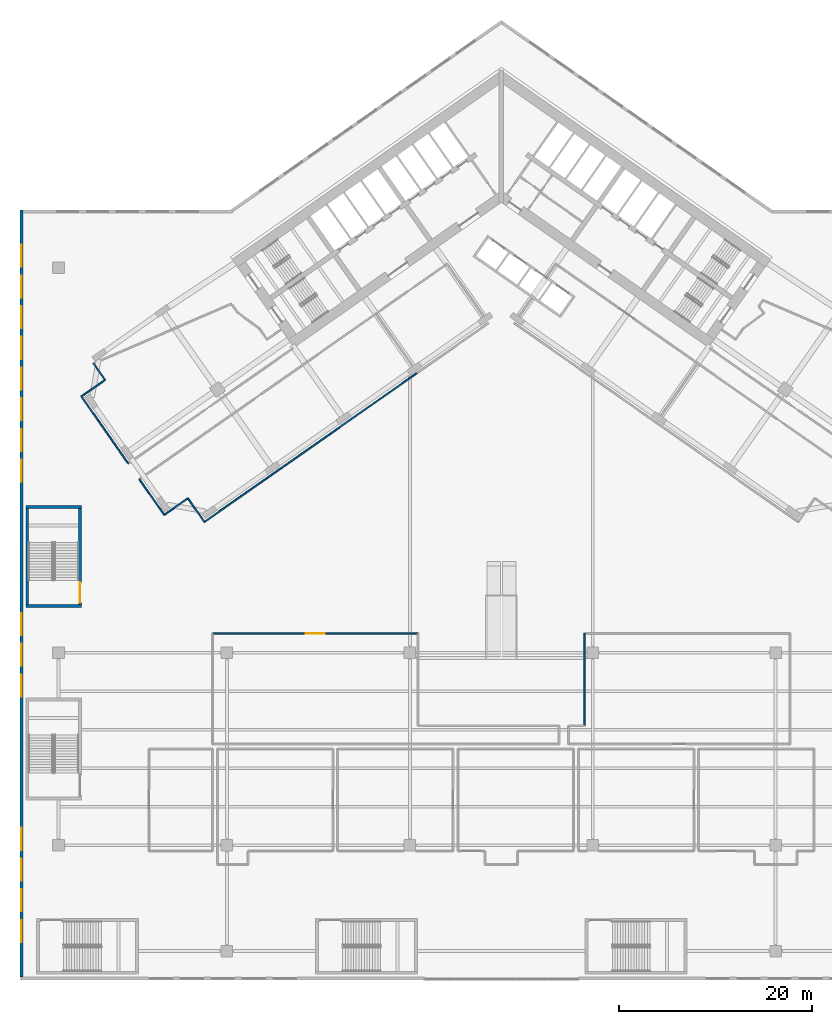
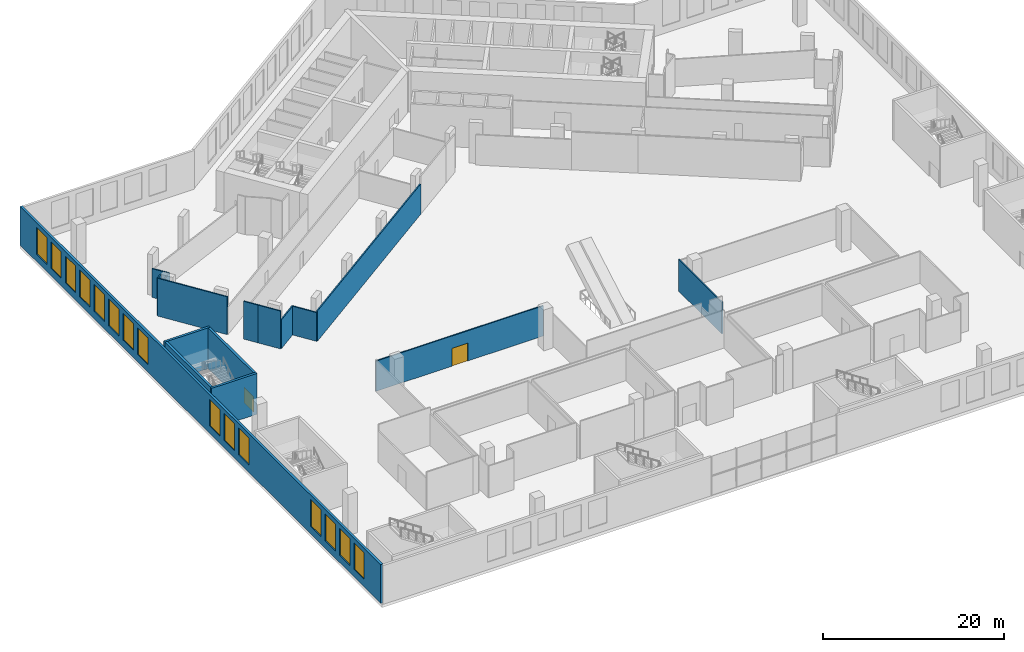
# One storey, part 6 of 26: 16 walls, 15 windows, 2 doors, 17 openings.
"""IFC4 building model written with IfcOpenShell, lengths in metres."""

from ifc_helpers import new_model, si_unit, direction, frame, frame_2d, origin, place, context, subcontext, project, spatial, rectangle, extrude, material, layer, layer_set, type_object, element, fill, save


model = new_model("IFC4")

# Units and contexts
model_context = context("Model", 3, precision=1e-05, world=origin(), true_north=direction((0.0, 1.0)))
body_context = subcontext(model_context, "Body", "Model", "MODEL_VIEW")
ifc_project = project(units=[si_unit("LENGTHUNIT", "METRE"), si_unit("AREAUNIT", "SQUARE_METRE"), si_unit("VOLUMEUNIT", "CUBIC_METRE"), si_unit("PLANEANGLEUNIT", "RADIAN"), si_unit("MASSUNIT", "GRAM", prefix="KILO")], contexts=[model_context])

# Site, building, storey
site_placement = place(None, origin())
site = spatial("IfcSite", under=ifc_project, at=site_placement, CompositionType="ELEMENT")
building_placement = place(site_placement, origin())
building = spatial("IfcBuilding", under=site, at=building_placement, Name="Tel Ilan Convention Tower", CompositionType="ELEMENT")
storey_placement = place(building_placement, frame((0.0, 0.0, 32.0)))
storey = spatial("IfcBuildingStorey", under=building, at=storey_placement, Name="L04", CompositionType="ELEMENT", Elevation=32.0)

# Wall, opening, door
ifc_material_1 = material(Name="Plasterboard on Steel Studs", Category="steel")
ifc_layer_1 = layer(ifc_material_1, 0.14990234375)
ifc_layer_set_1 = layer_set([ifc_layer_1], Name="Fire-rated Partition 150 EI 60")
wall_type_1 = type_object("IfcWallType", Name="Fire-rated Partition 150 EI 60", PredefinedType="PARTITIONING", material=ifc_layer_set_1)
wall_1_placement = place(storey_placement, frame((-8.65087890625, -45.9990234375, 0.0), z_axis=(0.0, 0.0, 1.0), x_axis=(-1.0, 0.0, 0.0)))
wall_1 = element("IfcWall", 1, at=wall_1_placement, inside=storey, type_object=wall_type_1, Name="Partition 046", PredefinedType="PARTITIONING", context=body_context, shape_type="SweptSolid", body=[
    extrude(rectangle(XDim=21.34912109375, YDim=0.14990234375, at=frame_2d((10.674560546875, 0.0))), origin(), (0.0, 0.0, 1.0), 4.080078125),
])
opening_1_placement = place(wall_1_placement, frame((9.674560546875, 0.0, 0.0)))
opening_1 = element("IfcOpeningElement", 2, at=opening_1_placement, cuts=wall_1, Name="Opening L04-013", PredefinedType="OPENING", context=body_context, shape_type="SweptSolid", body=[
    extrude(rectangle(XDim=2.0, YDim=2.39990234375, at=frame_2d((1.0, 1.199951171875))), frame((0.0, 0.0849609375, 0.0), z_axis=(0.0, -1.0, 0.0), x_axis=(1.0, 0.0, 0.0)), (0.0, 0.0, 1.0), 0.169921875),
])
ifc_material_2 = material(Name="Timber Door Leaf in Steel Frame", Category="steel")
door_type_1 = type_object("IfcDoorType", Name="Assembly Hall Double Fire Door 2000x2400", OperationType="NOTDEFINED", PredefinedType="DOOR", material=ifc_material_2)
door_1_placement = place(opening_1_placement, origin())
door_1 = element("IfcDoor", 3, at=door_1_placement, inside=storey, type_object=door_type_1, Name="Door L04-013", OperationType="DOUBLE_DOOR_SINGLE_SWING", OverallHeight=2.39990234375, OverallWidth=2.0, PredefinedType="DOOR", context=body_context, shape_type="SweptSolid", body=[
    extrude(rectangle(XDim=2.0, YDim=2.39990234375, at=frame_2d((1.0, 1.199951171875))), frame((0.0, 0.02490234375, 0.0), z_axis=(0.0, -1.0, 0.0), x_axis=(1.0, 0.0, 0.0)), (0.0, 0.0, 1.0), 0.050048828125),
])
fill(opening_1, door_1)

# Walls
wall_2_placement = place(storey_placement, frame((-35.016845703125, -33.676025390625, 0.0), z_axis=(0.0, 0.0, 1.0), x_axis=(0.81917072002, 0.573549763719, 0.0)))
element("IfcWall", 4, at=wall_2_placement, inside=storey, type_object=wall_type_1, Name="Partition 055", PredefinedType="PARTITIONING", context=body_context, shape_type="SweptSolid", body=[
    extrude(rectangle(XDim=2.998779296875, YDim=0.14990234375, at=frame_2d((1.49951171875, 0.0))), origin(), (0.0, 0.0, 1.0), 3.8798828125),
])
wall_3_placement = place(storey_placement, frame((-32.560302734375, -31.9560546875, 0.0), z_axis=(0.0, 0.0, 1.0), x_axis=(0.573604390867, -0.819132469615, 0.0)))
element("IfcWall", 5, at=wall_3_placement, inside=storey, type_object=wall_type_1, Name="Partition 056", PredefinedType="PARTITIONING", context=body_context, shape_type="SweptSolid", body=[
    extrude(rectangle(XDim=2.9990234375, YDim=0.14990234375, at=frame_2d((1.49951171875, 0.0))), origin(), (0.0, 0.0, 1.0), 3.8798828125),
])
wall_4_placement = place(storey_placement, frame((-30.838623046875, -34.412841796875, 0.0), z_axis=(0.0, 0.0, 1.0), x_axis=(0.819150779762, 0.573578242279, 0.0)))
element("IfcWall", 6, at=wall_4_placement, inside=storey, type_object=wall_type_1, Name="Partition 057", PredefinedType="PARTITIONING", context=body_context, shape_type="SweptSolid", body=[
    extrude(rectangle(XDim=27.001708984375, YDim=0.14990234375, at=frame_2d((13.5009765625, 0.0))), origin(), (0.0, 0.0, 1.0), 4.080078125),
])
wall_5_placement = place(storey_placement, frame((-36.59912109375, -31.41845703125, 0.0), z_axis=(0.0, 0.0, 1.0), x_axis=(0.57362881286, -0.819115367367, 0.0)))
element("IfcWall", 7, at=wall_5_placement, inside=storey, type_object=wall_type_1, Name="Partition 058", PredefinedType="PARTITIONING", context=body_context, shape_type="SweptSolid", body=[
    extrude(rectangle(XDim=2.755859375, YDim=0.14990234375, at=frame_2d((1.3779296875, 0.0))), origin(), (0.0, 0.0, 1.0), 5.10009765625),
])
wall_6_placement = place(storey_placement, frame((-42.359375, -17.96142578125, 0.0), z_axis=(0.0, 0.0, 1.0), x_axis=(0.573603984281, -0.819132754331, 0.0)))
element("IfcWall", 8, at=wall_6_placement, inside=storey, type_object=wall_type_1, Name="Partition 061", PredefinedType="PARTITIONING", context=body_context, shape_type="SweptSolid", body=[
    extrude(rectangle(XDim=2.082275390625, YDim=0.14990234375, at=frame_2d((1.041015625, 0.0))), origin(), (0.0, 0.0, 1.0), 3.8798828125),
])
wall_7_placement = place(storey_placement, frame((-41.1650390625, -19.6669921875, 0.0), z_axis=(0.0, 0.0, 1.0), x_axis=(-0.819149945048, -0.573579434366, 0.0)))
element("IfcWall", 9, at=wall_7_placement, inside=storey, type_object=wall_type_1, Name="Partition 062", PredefinedType="PARTITIONING", context=body_context, shape_type="SweptSolid", body=[
    extrude(rectangle(XDim=2.23876953125, YDim=0.14990234375, at=frame_2d((1.119384765625, 0.0))), origin(), (0.0, 0.0, 1.0), 3.8798828125),
])
wall_8_placement = place(storey_placement, frame((-43.621826171875, -21.38720703125, 0.0), z_axis=(0.0, 0.0, 1.0), x_axis=(0.573487395822, -0.819214383928, 0.0)))
element("IfcWall", 10, at=wall_8_placement, inside=storey, type_object=wall_type_1, Name="Partition 079", PredefinedType="PARTITIONING", context=body_context, shape_type="SweptSolid", body=[
    extrude(rectangle(XDim=8.502685546875, YDim=0.14990234375, at=frame_2d((4.25146484375, 0.0))), origin(), (0.0, 0.0, 1.0), 5.10009765625),
])
wall_9_placement = place(storey_placement, frame((-43.0, -20.951904296875, 0.0), z_axis=(0.0, 0.0, 1.0), x_axis=(-0.819216809636, -0.573483930734, 0.0)))
element("IfcWall", 11, at=wall_9_placement, inside=storey, type_object=wall_type_1, Name="Partition 080", PredefinedType="PARTITIONING", context=body_context, shape_type="SweptSolid", body=[
    extrude(rectangle(XDim=0.759033203125, YDim=0.14990234375, at=frame_2d((0.37939453125, 0.0))), origin(), (0.0, 0.0, 1.0), 5.10009765625),
])
wall_10_placement = place(storey_placement, frame((-37.600341796875, -29.98828125, 0.0), z_axis=(0.0, 0.0, 1.0), x_axis=(0.573518712821, -0.819192459709, 0.0)))
element("IfcWall", 12, at=wall_10_placement, inside=storey, type_object=wall_type_1, Name="Partition 081", PredefinedType="PARTITIONING", context=body_context, shape_type="SweptSolid", body=[
    extrude(rectangle(XDim=1.744140625, YDim=0.14990234375, at=frame_2d((0.8720703125, 0.0))), origin(), (0.0, 0.0, 1.0), 5.10009765625),
])
wall_11_placement = place(storey_placement, frame((8.64990234375, -45.998291015625, 0.0), z_axis=(0.0, 0.0, 1.0), x_axis=(0.0, -1.0, 0.0)))
element("IfcWall", 13, at=wall_11_placement, inside=storey, type_object=wall_type_1, Name="Partition 086", PredefinedType="PARTITIONING", context=body_context, shape_type="SweptSolid", body=[
    extrude(rectangle(XDim=9.587646484375, YDim=0.14990234375, at=frame_2d((4.7939453125, 0.0))), origin(), (0.0, 0.0, 1.0), 4.280029296875),
])

# Wall, openings, windows
ifc_material_3 = material(Name="Bronze aluminium cladding panel on insulated steel frame", Category="steel")
ifc_layer_2 = layer(ifc_material_3, 0.300048828125)
ifc_layer_set_2 = layer_set([ifc_layer_2], Name="PODIUM CLADDING WALL 300")
wall_type_2 = type_object("IfcWallType", Name="PODIUM CLADDING WALL 300", PredefinedType="SOLIDWALL", material=ifc_layer_set_2)
wall_12_placement = place(storey_placement, frame((-49.85009765625, -81.699951171875, 0.0), z_axis=(0.0, 0.0, 1.0), x_axis=(0.0, 1.0, 0.0)))
wall_12 = element("IfcWall", 14, at=wall_12_placement, inside=storey, type_object=wall_type_2, Name="Podium cladding wall", PredefinedType="SOLIDWALL", context=body_context, shape_type="SweptSolid", body=[
    extrude(rectangle(XDim=79.699951171875, YDim=0.300048828125, at=frame_2d((39.85009765625, 0.0))), origin(), (0.0, 0.0, 1.0), 5.219970703125),
])
opening_2_placement = place(wall_12_placement, frame((3.637939453125, 0.0, 1.0)))
opening_2 = element("IfcOpeningElement", 15, at=opening_2_placement, cuts=wall_12, Name="Opening W-07.011", PredefinedType="OPENING", context=body_context, shape_type="SweptSolid", body=[
    extrude(rectangle(XDim=2.2880859375, YDim=3.6201171875, at=frame_2d((1.14404296875, 1.81005859375))), frame((0.0, 0.159912109375, 0.0), z_axis=(0.0, -1.0, 0.0), x_axis=(1.0, 0.0, 0.0)), (0.0, 0.0, 1.0), 0.320068359375),
])
opening_3_placement = place(wall_12_placement, frame((6.825927734375, 0.0, 1.0)))
opening_3 = element("IfcOpeningElement", 16, at=opening_3_placement, cuts=wall_12, Name="Opening W-07.012", PredefinedType="OPENING", context=body_context, shape_type="SweptSolid", body=[
    extrude(rectangle(XDim=2.2880859375, YDim=3.6201171875, at=frame_2d((1.14404296875, 1.81005859375))), frame((0.0, 0.159912109375, 0.0), z_axis=(0.0, -1.0, 0.0), x_axis=(1.0, 0.0, 0.0)), (0.0, 0.0, 1.0), 0.320068359375),
])
opening_4_placement = place(wall_12_placement, frame((10.013916015625, 0.0, 1.0)))
opening_4 = element("IfcOpeningElement", 17, at=opening_4_placement, cuts=wall_12, Name="Opening W-07.013", PredefinedType="OPENING", context=body_context, shape_type="SweptSolid", body=[
    extrude(rectangle(XDim=2.2880859375, YDim=3.6201171875, at=frame_2d((1.14404296875, 1.81005859375))), frame((0.0, 0.159912109375, 0.0), z_axis=(0.0, -1.0, 0.0), x_axis=(1.0, 0.0, 0.0)), (0.0, 0.0, 1.0), 0.320068359375),
])
opening_5_placement = place(wall_12_placement, frame((13.201904296875, 0.0, 1.0)))
opening_5 = element("IfcOpeningElement", 18, at=opening_5_placement, cuts=wall_12, Name="Opening W-07.014", PredefinedType="OPENING", context=body_context, shape_type="SweptSolid", body=[
    extrude(rectangle(XDim=2.2880859375, YDim=3.6201171875, at=frame_2d((1.14404296875, 1.81005859375))), frame((0.0, 0.159912109375, 0.0), z_axis=(0.0, -1.0, 0.0), x_axis=(1.0, 0.0, 0.0)), (0.0, 0.0, 1.0), 0.320068359375),
])
opening_6_placement = place(wall_12_placement, frame((29.14208984375, 0.0, 1.0)))
opening_6 = element("IfcOpeningElement", 19, at=opening_6_placement, cuts=wall_12, Name="Opening W-07.015", PredefinedType="OPENING", context=body_context, shape_type="SweptSolid", body=[
    extrude(rectangle(XDim=2.2880859375, YDim=3.6201171875, at=frame_2d((1.14404296875, 1.81005859375))), frame((0.0, 0.159912109375, 0.0), z_axis=(0.0, -1.0, 0.0), x_axis=(1.0, 0.0, 0.0)), (0.0, 0.0, 1.0), 0.320068359375),
])
opening_7_placement = place(wall_12_placement, frame((32.330078125, 0.0, 1.0)))
opening_7 = element("IfcOpeningElement", 20, at=opening_7_placement, cuts=wall_12, Name="Opening W-07.016", PredefinedType="OPENING", context=body_context, shape_type="SweptSolid", body=[
    extrude(rectangle(XDim=2.2880859375, YDim=3.6201171875, at=frame_2d((1.14404296875, 1.81005859375))), frame((0.0, 0.159912109375, 0.0), z_axis=(0.0, -1.0, 0.0), x_axis=(1.0, 0.0, 0.0)), (0.0, 0.0, 1.0), 0.320068359375),
])
opening_8_placement = place(wall_12_placement, frame((35.51806640625, 0.0, 1.0)))
opening_8 = element("IfcOpeningElement", 21, at=opening_8_placement, cuts=wall_12, Name="Opening W-07.017", PredefinedType="OPENING", context=body_context, shape_type="SweptSolid", body=[
    extrude(rectangle(XDim=2.2880859375, YDim=3.6201171875, at=frame_2d((1.14404296875, 1.81005859375))), frame((0.0, 0.159912109375, 0.0), z_axis=(0.0, -1.0, 0.0), x_axis=(1.0, 0.0, 0.0)), (0.0, 0.0, 1.0), 0.320068359375),
])
opening_9_placement = place(wall_12_placement, frame((51.4580078125, 0.0, 1.0)))
opening_9 = element("IfcOpeningElement", 22, at=opening_9_placement, cuts=wall_12, Name="Opening W-07.018", PredefinedType="OPENING", context=body_context, shape_type="SweptSolid", body=[
    extrude(rectangle(XDim=2.2880859375, YDim=3.6201171875, at=frame_2d((1.14404296875, 1.81005859375))), frame((0.0, 0.159912109375, 0.0), z_axis=(0.0, -1.0, 0.0), x_axis=(1.0, 0.0, 0.0)), (0.0, 0.0, 1.0), 0.320068359375),
])
opening_10_placement = place(wall_12_placement, frame((54.64599609375, 0.0, 1.0)))
opening_10 = element("IfcOpeningElement", 23, at=opening_10_placement, cuts=wall_12, Name="Opening W-07.019", PredefinedType="OPENING", context=body_context, shape_type="SweptSolid", body=[
    extrude(rectangle(XDim=2.2880859375, YDim=3.6201171875, at=frame_2d((1.14404296875, 1.81005859375))), frame((0.0, 0.159912109375, 0.0), z_axis=(0.0, -1.0, 0.0), x_axis=(1.0, 0.0, 0.0)), (0.0, 0.0, 1.0), 0.320068359375),
])
opening_11_placement = place(wall_12_placement, frame((57.833984375, 0.0, 1.0)))
opening_11 = element("IfcOpeningElement", 24, at=opening_11_placement, cuts=wall_12, Name="Opening W-07.020", PredefinedType="OPENING", context=body_context, shape_type="SweptSolid", body=[
    extrude(rectangle(XDim=2.2880859375, YDim=3.6201171875, at=frame_2d((1.14404296875, 1.81005859375))), frame((0.0, 0.159912109375, 0.0), z_axis=(0.0, -1.0, 0.0), x_axis=(1.0, 0.0, 0.0)), (0.0, 0.0, 1.0), 0.320068359375),
])
opening_12_placement = place(wall_12_placement, frame((61.02197265625, 0.0, 1.0)))
opening_12 = element("IfcOpeningElement", 25, at=opening_12_placement, cuts=wall_12, Name="Opening W-07.021", PredefinedType="OPENING", context=body_context, shape_type="SweptSolid", body=[
    extrude(rectangle(XDim=2.2880859375, YDim=3.6201171875, at=frame_2d((1.14404296875, 1.81005859375))), frame((0.0, 0.159912109375, 0.0), z_axis=(0.0, -1.0, 0.0), x_axis=(1.0, 0.0, 0.0)), (0.0, 0.0, 1.0), 0.320068359375),
])
opening_13_placement = place(wall_12_placement, frame((64.2099609375, 0.0, 1.0)))
opening_13 = element("IfcOpeningElement", 26, at=opening_13_placement, cuts=wall_12, Name="Opening W-07.022", PredefinedType="OPENING", context=body_context, shape_type="SweptSolid", body=[
    extrude(rectangle(XDim=2.2880859375, YDim=3.6201171875, at=frame_2d((1.14404296875, 1.81005859375))), frame((0.0, 0.159912109375, 0.0), z_axis=(0.0, -1.0, 0.0), x_axis=(1.0, 0.0, 0.0)), (0.0, 0.0, 1.0), 0.320068359375),
])
opening_14_placement = place(wall_12_placement, frame((67.39794921875, 0.0, 1.0)))
opening_14 = element("IfcOpeningElement", 27, at=opening_14_placement, cuts=wall_12, Name="Opening W-07.023", PredefinedType="OPENING", context=body_context, shape_type="SweptSolid", body=[
    extrude(rectangle(XDim=2.2880859375, YDim=3.6201171875, at=frame_2d((1.14404296875, 1.81005859375))), frame((0.0, 0.159912109375, 0.0), z_axis=(0.0, -1.0, 0.0), x_axis=(1.0, 0.0, 0.0)), (0.0, 0.0, 1.0), 0.320068359375),
])
opening_15_placement = place(wall_12_placement, frame((70.5859375, 0.0, 1.0)))
opening_15 = element("IfcOpeningElement", 28, at=opening_15_placement, cuts=wall_12, Name="Opening W-07.024", PredefinedType="OPENING", context=body_context, shape_type="SweptSolid", body=[
    extrude(rectangle(XDim=2.2880859375, YDim=3.6201171875, at=frame_2d((1.14404296875, 1.81005859375))), frame((0.0, 0.159912109375, 0.0), z_axis=(0.0, -1.0, 0.0), x_axis=(1.0, 0.0, 0.0)), (0.0, 0.0, 1.0), 0.320068359375),
])
opening_16_placement = place(wall_12_placement, frame((73.77392578125, 0.0, 1.0)))
opening_16 = element("IfcOpeningElement", 29, at=opening_16_placement, cuts=wall_12, Name="Opening W-07.025", PredefinedType="OPENING", context=body_context, shape_type="SweptSolid", body=[
    extrude(rectangle(XDim=2.2880859375, YDim=3.6201171875, at=frame_2d((1.14404296875, 1.81005859375))), frame((0.0, 0.159912109375, 0.0), z_axis=(0.0, -1.0, 0.0), x_axis=(1.0, 0.0, 0.0)), (0.0, 0.0, 1.0), 0.320068359375),
])
ifc_material_4 = material(Name="Aluminium framed glazing, bronze anodised, tinted glass", Category="aluminium")
window_type = type_object("IfcWindowType", Name="PODIUM WINDOW 2288x3620", PartitioningType="SINGLE_PANEL", PredefinedType="WINDOW", material=ifc_material_4)
window_1_placement = place(opening_2_placement, origin())
window_1 = element("IfcWindow", 30, at=window_1_placement, inside=storey, type_object=window_type, Name="Podium window", OverallHeight=3.6201171875, OverallWidth=2.2880859375, PartitioningType="SINGLE_PANEL", PredefinedType="WINDOW", context=body_context, shape_type="SweptSolid", body=[
    extrude(rectangle(XDim=2.2880859375, YDim=3.6201171875, at=frame_2d((1.14404296875, 1.81005859375))), frame((0.0, 0.030029296875, 0.0), z_axis=(0.0, -1.0, 0.0), x_axis=(1.0, 0.0, 0.0)), (0.0, 0.0, 1.0), 0.06005859375),
])
fill(opening_2, window_1)
window_2_placement = place(opening_3_placement, origin())
window_2 = element("IfcWindow", 31, at=window_2_placement, inside=storey, type_object=window_type, Name="Podium window", OverallHeight=3.6201171875, OverallWidth=2.2880859375, PartitioningType="SINGLE_PANEL", PredefinedType="WINDOW", context=body_context, shape_type="SweptSolid", body=[
    extrude(rectangle(XDim=2.2880859375, YDim=3.6201171875, at=frame_2d((1.14404296875, 1.81005859375))), frame((0.0, 0.030029296875, 0.0), z_axis=(0.0, -1.0, 0.0), x_axis=(1.0, 0.0, 0.0)), (0.0, 0.0, 1.0), 0.06005859375),
])
fill(opening_3, window_2)
window_3_placement = place(opening_4_placement, origin())
window_3 = element("IfcWindow", 32, at=window_3_placement, inside=storey, type_object=window_type, Name="Podium window", OverallHeight=3.6201171875, OverallWidth=2.2880859375, PartitioningType="SINGLE_PANEL", PredefinedType="WINDOW", context=body_context, shape_type="SweptSolid", body=[
    extrude(rectangle(XDim=2.2880859375, YDim=3.6201171875, at=frame_2d((1.14404296875, 1.81005859375))), frame((0.0, 0.030029296875, 0.0), z_axis=(0.0, -1.0, 0.0), x_axis=(1.0, 0.0, 0.0)), (0.0, 0.0, 1.0), 0.06005859375),
])
fill(opening_4, window_3)
window_4_placement = place(opening_5_placement, origin())
window_4 = element("IfcWindow", 33, at=window_4_placement, inside=storey, type_object=window_type, Name="Podium window", OverallHeight=3.6201171875, OverallWidth=2.2880859375, PartitioningType="SINGLE_PANEL", PredefinedType="WINDOW", context=body_context, shape_type="SweptSolid", body=[
    extrude(rectangle(XDim=2.2880859375, YDim=3.6201171875, at=frame_2d((1.14404296875, 1.81005859375))), frame((0.0, 0.030029296875, 0.0), z_axis=(0.0, -1.0, 0.0), x_axis=(1.0, 0.0, 0.0)), (0.0, 0.0, 1.0), 0.06005859375),
])
fill(opening_5, window_4)
window_5_placement = place(opening_6_placement, origin())
window_5 = element("IfcWindow", 34, at=window_5_placement, inside=storey, type_object=window_type, Name="Podium window", OverallHeight=3.6201171875, OverallWidth=2.2880859375, PartitioningType="SINGLE_PANEL", PredefinedType="WINDOW", context=body_context, shape_type="SweptSolid", body=[
    extrude(rectangle(XDim=2.2880859375, YDim=3.6201171875, at=frame_2d((1.14404296875, 1.81005859375))), frame((0.0, 0.030029296875, 0.0), z_axis=(0.0, -1.0, 0.0), x_axis=(1.0, 0.0, 0.0)), (0.0, 0.0, 1.0), 0.06005859375),
])
fill(opening_6, window_5)
window_6_placement = place(opening_7_placement, origin())
window_6 = element("IfcWindow", 35, at=window_6_placement, inside=storey, type_object=window_type, Name="Podium window", OverallHeight=3.6201171875, OverallWidth=2.2880859375, PartitioningType="SINGLE_PANEL", PredefinedType="WINDOW", context=body_context, shape_type="SweptSolid", body=[
    extrude(rectangle(XDim=2.2880859375, YDim=3.6201171875, at=frame_2d((1.14404296875, 1.81005859375))), frame((0.0, 0.030029296875, 0.0), z_axis=(0.0, -1.0, 0.0), x_axis=(1.0, 0.0, 0.0)), (0.0, 0.0, 1.0), 0.06005859375),
])
fill(opening_7, window_6)
window_7_placement = place(opening_8_placement, origin())
window_7 = element("IfcWindow", 36, at=window_7_placement, inside=storey, type_object=window_type, Name="Podium window", OverallHeight=3.6201171875, OverallWidth=2.2880859375, PartitioningType="SINGLE_PANEL", PredefinedType="WINDOW", context=body_context, shape_type="SweptSolid", body=[
    extrude(rectangle(XDim=2.2880859375, YDim=3.6201171875, at=frame_2d((1.14404296875, 1.81005859375))), frame((0.0, 0.030029296875, 0.0), z_axis=(0.0, -1.0, 0.0), x_axis=(1.0, 0.0, 0.0)), (0.0, 0.0, 1.0), 0.06005859375),
])
fill(opening_8, window_7)
window_8_placement = place(opening_9_placement, origin())
window_8 = element("IfcWindow", 37, at=window_8_placement, inside=storey, type_object=window_type, Name="Podium window", OverallHeight=3.6201171875, OverallWidth=2.2880859375, PartitioningType="SINGLE_PANEL", PredefinedType="WINDOW", context=body_context, shape_type="SweptSolid", body=[
    extrude(rectangle(XDim=2.2880859375, YDim=3.6201171875, at=frame_2d((1.14404296875, 1.81005859375))), frame((0.0, 0.030029296875, 0.0), z_axis=(0.0, -1.0, 0.0), x_axis=(1.0, 0.0, 0.0)), (0.0, 0.0, 1.0), 0.06005859375),
])
fill(opening_9, window_8)
window_9_placement = place(opening_10_placement, origin())
window_9 = element("IfcWindow", 38, at=window_9_placement, inside=storey, type_object=window_type, Name="Podium window", OverallHeight=3.6201171875, OverallWidth=2.2880859375, PartitioningType="SINGLE_PANEL", PredefinedType="WINDOW", context=body_context, shape_type="SweptSolid", body=[
    extrude(rectangle(XDim=2.2880859375, YDim=3.6201171875, at=frame_2d((1.14404296875, 1.81005859375))), frame((0.0, 0.030029296875, 0.0), z_axis=(0.0, -1.0, 0.0), x_axis=(1.0, 0.0, 0.0)), (0.0, 0.0, 1.0), 0.06005859375),
])
fill(opening_10, window_9)
window_10_placement = place(opening_11_placement, origin())
window_10 = element("IfcWindow", 39, at=window_10_placement, inside=storey, type_object=window_type, Name="Podium window", OverallHeight=3.6201171875, OverallWidth=2.2880859375, PartitioningType="SINGLE_PANEL", PredefinedType="WINDOW", context=body_context, shape_type="SweptSolid", body=[
    extrude(rectangle(XDim=2.2880859375, YDim=3.6201171875, at=frame_2d((1.14404296875, 1.81005859375))), frame((0.0, 0.030029296875, 0.0), z_axis=(0.0, -1.0, 0.0), x_axis=(1.0, 0.0, 0.0)), (0.0, 0.0, 1.0), 0.06005859375),
])
fill(opening_11, window_10)
window_11_placement = place(opening_12_placement, origin())
window_11 = element("IfcWindow", 40, at=window_11_placement, inside=storey, type_object=window_type, Name="Podium window", OverallHeight=3.6201171875, OverallWidth=2.2880859375, PartitioningType="SINGLE_PANEL", PredefinedType="WINDOW", context=body_context, shape_type="SweptSolid", body=[
    extrude(rectangle(XDim=2.2880859375, YDim=3.6201171875, at=frame_2d((1.14404296875, 1.81005859375))), frame((0.0, 0.030029296875, 0.0), z_axis=(0.0, -1.0, 0.0), x_axis=(1.0, 0.0, 0.0)), (0.0, 0.0, 1.0), 0.06005859375),
])
fill(opening_12, window_11)
window_12_placement = place(opening_13_placement, origin())
window_12 = element("IfcWindow", 41, at=window_12_placement, inside=storey, type_object=window_type, Name="Podium window", OverallHeight=3.6201171875, OverallWidth=2.2880859375, PartitioningType="SINGLE_PANEL", PredefinedType="WINDOW", context=body_context, shape_type="SweptSolid", body=[
    extrude(rectangle(XDim=2.2880859375, YDim=3.6201171875, at=frame_2d((1.14404296875, 1.81005859375))), frame((0.0, 0.030029296875, 0.0), z_axis=(0.0, -1.0, 0.0), x_axis=(1.0, 0.0, 0.0)), (0.0, 0.0, 1.0), 0.06005859375),
])
fill(opening_13, window_12)
window_13_placement = place(opening_14_placement, origin())
window_13 = element("IfcWindow", 42, at=window_13_placement, inside=storey, type_object=window_type, Name="Podium window", OverallHeight=3.6201171875, OverallWidth=2.2880859375, PartitioningType="SINGLE_PANEL", PredefinedType="WINDOW", context=body_context, shape_type="SweptSolid", body=[
    extrude(rectangle(XDim=2.2880859375, YDim=3.6201171875, at=frame_2d((1.14404296875, 1.81005859375))), frame((0.0, 0.030029296875, 0.0), z_axis=(0.0, -1.0, 0.0), x_axis=(1.0, 0.0, 0.0)), (0.0, 0.0, 1.0), 0.06005859375),
])
fill(opening_14, window_13)
window_14_placement = place(opening_15_placement, origin())
window_14 = element("IfcWindow", 43, at=window_14_placement, inside=storey, type_object=window_type, Name="Podium window", OverallHeight=3.6201171875, OverallWidth=2.2880859375, PartitioningType="SINGLE_PANEL", PredefinedType="WINDOW", context=body_context, shape_type="SweptSolid", body=[
    extrude(rectangle(XDim=2.2880859375, YDim=3.6201171875, at=frame_2d((1.14404296875, 1.81005859375))), frame((0.0, 0.030029296875, 0.0), z_axis=(0.0, -1.0, 0.0), x_axis=(1.0, 0.0, 0.0)), (0.0, 0.0, 1.0), 0.06005859375),
])
fill(opening_15, window_14)
window_15_placement = place(opening_16_placement, origin())
window_15 = element("IfcWindow", 44, at=window_15_placement, inside=storey, type_object=window_type, Name="Podium window", OverallHeight=3.6201171875, OverallWidth=2.2880859375, PartitioningType="SINGLE_PANEL", PredefinedType="WINDOW", context=body_context, shape_type="SweptSolid", body=[
    extrude(rectangle(XDim=2.2880859375, YDim=3.6201171875, at=frame_2d((1.14404296875, 1.81005859375))), frame((0.0, 0.030029296875, 0.0), z_axis=(0.0, -1.0, 0.0), x_axis=(1.0, 0.0, 0.0)), (0.0, 0.0, 1.0), 0.06005859375),
])
fill(opening_16, window_15)

# Walls
ifc_material_5 = material(Name="Concrete C40/50", Category="concrete")
ifc_layer_3 = layer(ifc_material_5, 0.300048828125)
ifc_layer_set_3 = layer_set([ifc_layer_3], Name="Stair Enclosure Wall 300 mm C40/50")
wall_type_3 = type_object("IfcWallType", Name="Stair Enclosure Wall 300 mm C40/50", PredefinedType="SOLIDWALL", material=ifc_layer_set_3)
for number, where, z_axis, x_axis, name in (
    (45, (-49.39990234375, -43.14990234375, 0.0), (0.0, 0.0, 1.0), (1.0, 0.0, 0.0), "P7 stair enclosure wall S L04"),
    (46, (-49.39990234375, -32.85009765625, 0.0), (0.0, 0.0, 1.0), (1.0, 0.0, 0.0), "P7 stair enclosure wall N L04"),
):
    element("IfcWall", number, at=place(storey_placement, frame(where, z_axis=z_axis, x_axis=x_axis)), inside=storey, type_object=wall_type_3, Name=name, PredefinedType="SOLIDWALL", context=body_context, shape_type="SweptSolid", body=[
        extrude(rectangle(XDim=5.7998046875, YDim=0.300048828125, at=frame_2d((2.89990234375, 0.0))), origin(), (0.0, 0.0, 1.0), 5.5),
    ])
wall_13_placement = place(storey_placement, frame((-49.25, -43.0, 0.0), z_axis=(0.0, 0.0, 1.0), x_axis=(0.0, 1.0, 0.0)))
element("IfcWall", 47, at=wall_13_placement, inside=storey, type_object=wall_type_3, Name="P7 stair enclosure wall W L04", PredefinedType="SOLIDWALL", context=body_context, shape_type="SweptSolid", body=[
    extrude(rectangle(XDim=10.0, YDim=0.300048828125, at=frame_2d((5.0, 0.0))), origin(), (0.0, 0.0, 1.0), 5.5),
])

# Wall, opening, door
wall_14_placement = place(storey_placement, frame((-43.75, -43.0, 0.0), z_axis=(0.0, 0.0, 1.0), x_axis=(0.0, 1.0, 0.0)))
wall_14 = element("IfcWall", 48, at=wall_14_placement, inside=storey, type_object=wall_type_3, Name="P7 stair enclosure wall E L04", PredefinedType="SOLIDWALL", context=body_context, shape_type="SweptSolid", body=[
    extrude(rectangle(XDim=10.0, YDim=0.300048828125, at=frame_2d((5.0, 0.0))), origin(), (0.0, 0.0, 1.0), 5.5),
])
opening_17_placement = place(wall_14_placement, frame((0.21240234375, 0.0, 0.0)))
opening_17 = element("IfcOpeningElement", 49, at=opening_17_placement, cuts=wall_14, Name="Opening PD707", PredefinedType="OPENING", context=body_context, shape_type="SweptSolid", body=[
    extrude(rectangle(XDim=2.10009765625, YDim=2.10009765625, at=frame_2d((1.050048828125, 1.050048828125))), frame((0.0, 0.159912109375, 0.0), z_axis=(0.0, -1.0, 0.0), x_axis=(1.0, 0.0, 0.0)), (0.0, 0.0, 1.0), 0.320068359375),
])
ifc_material_6 = material(Name="Galvanised Steel Door Leaf", Category="steel")
door_type_2 = type_object("IfcDoorType", Name="Stair Fire Door 2100 x 2100 FD60S", OperationType="NOTDEFINED", PredefinedType="DOOR", material=ifc_material_6)
door_2_placement = place(opening_17_placement, origin())
door_2 = element("IfcDoor", 50, at=door_2_placement, inside=storey, type_object=door_type_2, Name="Stair P7 floor door", OperationType="DOUBLE_DOOR_SINGLE_SWING", OverallHeight=2.10009765625, OverallWidth=2.10009765625, PredefinedType="DOOR", context=body_context, shape_type="SweptSolid", body=[
    extrude(rectangle(XDim=2.10009765625, YDim=2.10009765625, at=frame_2d((1.050048828125, 1.050048828125))), frame((0.0, 0.02490234375, 0.0), z_axis=(0.0, -1.0, 0.0), x_axis=(1.0, 0.0, 0.0)), (0.0, 0.0, 1.0), 0.050048828125),
])
fill(opening_17, door_2)

save(model, "model.ifc")
